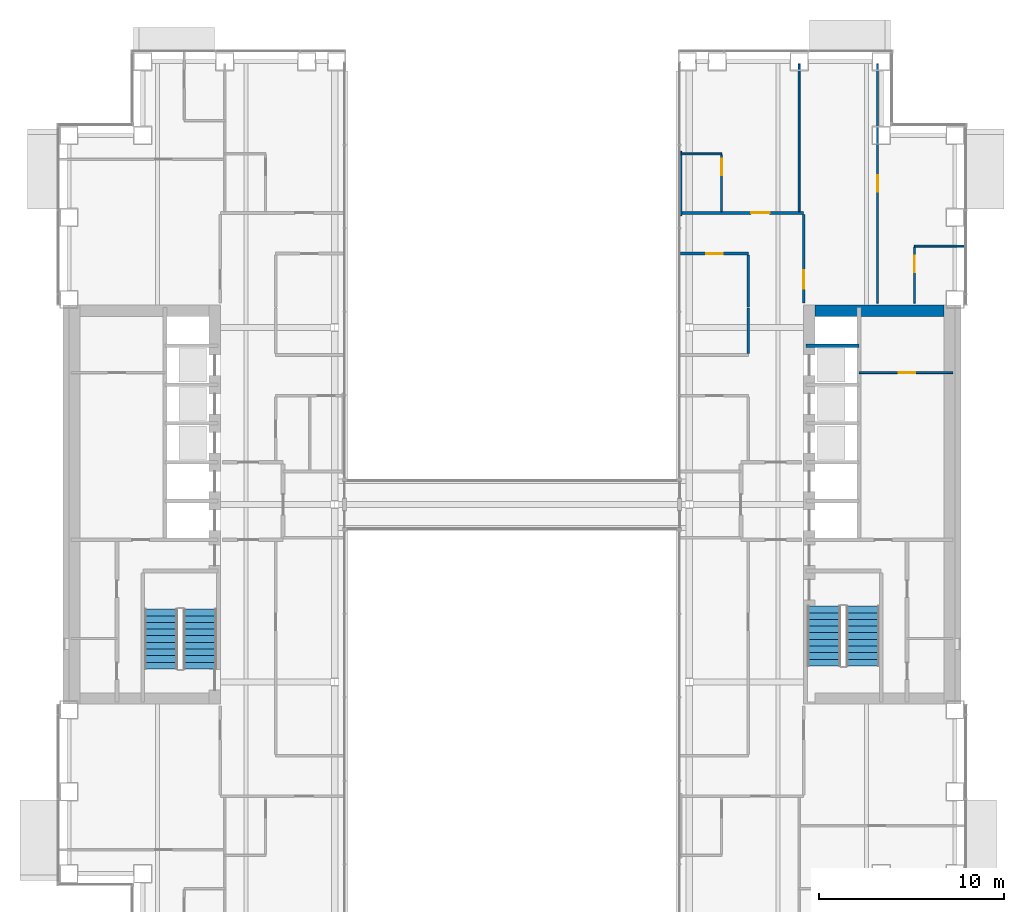
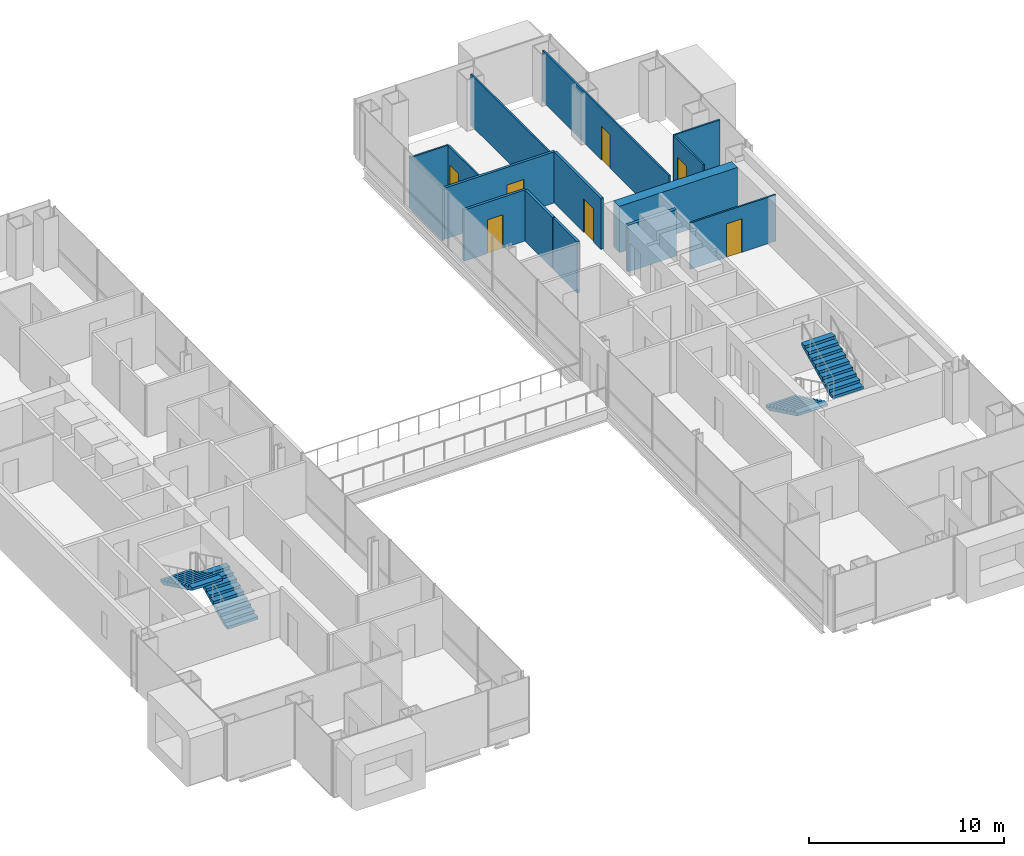
# One storey, part 17 of 21: 15 walls, 7 doors, 4 stair flights, 7 openings, 2 elements without a shape of their own.
"""IFC4 building model written with IfcOpenShell, lengths in metres."""

from ifc_helpers import new_model, si_unit, direction, frame, frame_2d, origin, place, context, subcontext, project, spatial, polyline, rectangle, outline, extrude, material, layer, layer_set, type_object, element, fill, aggregate, save


model = new_model("IFC4")

# Units and contexts
model_context = context("Model", 3, precision=1e-05, world=origin(), true_north=direction((0.0, 1.0)))
body_context = subcontext(model_context, "Body", "Model", "MODEL_VIEW")
ifc_project = project(units=[si_unit("LENGTHUNIT", "METRE"), si_unit("AREAUNIT", "SQUARE_METRE"), si_unit("VOLUMEUNIT", "CUBIC_METRE"), si_unit("PLANEANGLEUNIT", "RADIAN"), si_unit("MASSUNIT", "GRAM", prefix="KILO")], contexts=[model_context])

# Site, building, storey
site_placement = place(None, origin())
site = spatial("IfcSite", under=ifc_project, at=site_placement, CompositionType="ELEMENT")
building_placement = place(site_placement, origin())
building = spatial("IfcBuilding", under=site, at=building_placement, Name="Cobrizo Arcos Hotel Tower", CompositionType="ELEMENT")
storey_placement = place(building_placement, frame((0.0, 0.0, 81.0)))
storey = spatial("IfcBuildingStorey", under=building, at=storey_placement, Name="L19", CompositionType="ELEMENT", Elevation=81.0)

# Wall, opening, door
ifc_material_1 = material(Name="Gypsum board partition")
ifc_layer_1 = layer(ifc_material_1, 0.14990234375)
ifc_layer_set_1 = layer_set([ifc_layer_1], Name="Corridor wall EI 60 150")
wall_type_1 = type_object("IfcWallType", Name="Corridor wall EI 60 150", PredefinedType="PARTITIONING", material=ifc_layer_set_1)
wall_1_placement = place(storey_placement, frame((9.1201171875, 13.60009765625, 0.0), z_axis=(0.0, 0.0, 1.0), x_axis=(1.0, 0.0, 0.0)))
wall_1 = element("IfcWall", 1, at=wall_1_placement, inside=storey, type_object=wall_type_1, Name="Partition 042", PredefinedType="PARTITIONING", context=body_context, shape_type="SweptSolid", body=[
    extrude(rectangle(XDim=3.679931640625, YDim=0.14990234375, at=frame_2d((1.83984375, 0.0))), origin(), (0.0, 0.0, 1.0), 3.199951171875),
])
opening_1_placement = place(wall_1_placement, frame((1.405029296875, 0.0, 0.0)))
opening_1 = element("IfcOpeningElement", 2, at=opening_1_placement, cuts=wall_1, Name="Opening RD-14", PredefinedType="OPENING", context=body_context, shape_type="SweptSolid", body=[
    extrude(rectangle(XDim=0.89990234375, YDim=2.10009765625, at=frame_2d((0.449951171875, 1.050048828125))), frame((0.0, 0.0869140625, 0.0), z_axis=(0.0, -1.0, 0.0), x_axis=(1.0, 0.0, 0.0)), (0.0, 0.0, 1.0), 0.173828125),
])
ifc_material_2 = material(Name="Timber door leaf", Category="wood")
door_type_1 = type_object("IfcDoorType", Name="Room door FD30 900x2100", OperationType="SINGLE_SWING_LEFT", PredefinedType="DOOR", material=ifc_material_2)
door_1_placement = place(opening_1_placement, origin())
door_1 = element("IfcDoor", 3, at=door_1_placement, inside=storey, type_object=door_type_1, Name="Door RD-14", OperationType="SINGLE_SWING_LEFT", OverallHeight=2.10009765625, OverallWidth=0.89990234375, PredefinedType="DOOR", context=body_context, shape_type="SweptSolid", body=[
    extrude(rectangle(XDim=0.89990234375, YDim=2.10009765625, at=frame_2d((0.449951171875, 1.050048828125))), frame((0.0, 0.02490234375, 0.0), z_axis=(0.0, -1.0, 0.0), x_axis=(1.0, 0.0, 0.0)), (0.0, 0.0, 1.0), 0.050048828125),
])
fill(opening_1, door_1)

wall_2_placement = place(storey_placement, frame((9.14990234375, 15.800048828125, 0.0), z_axis=(0.0, 0.0, 1.0), x_axis=(1.0, 0.0, 0.0)))
wall_2 = element("IfcWall", 4, at=wall_2_placement, inside=storey, type_object=wall_type_1, Name="Partition 045", PredefinedType="PARTITIONING", context=body_context, shape_type="SweptSolid", body=[
    extrude(rectangle(XDim=6.650146484375, YDim=0.14990234375, at=frame_2d((3.3251953125, 0.0))), origin(), (0.0, 0.0, 1.0), 3.199951171875),
])
opening_2_placement = place(wall_2_placement, frame((3.802978515625, 0.0, 0.0)))
opening_2 = element("IfcOpeningElement", 5, at=opening_2_placement, cuts=wall_2, Name="Opening GD-01", PredefinedType="OPENING", context=body_context, shape_type="SweptSolid", body=[
    extrude(rectangle(XDim=1.0, YDim=2.10009765625, at=frame_2d((0.5, 1.050048828125))), frame((0.0, 0.0869140625, 0.0), z_axis=(0.0, -1.0, 0.0), x_axis=(1.0, 0.0, 0.0)), (0.0, 0.0, 1.0), 0.173828125),
])
door_type_2 = type_object("IfcDoorType", Name="Guest room door FD30S 1000x2100", OperationType="SINGLE_SWING_LEFT", PredefinedType="DOOR", material=ifc_material_2)
door_2_placement = place(opening_2_placement, origin())
door_2 = element("IfcDoor", 6, at=door_2_placement, inside=storey, type_object=door_type_2, Name="Door GD-01", OperationType="SINGLE_SWING_LEFT", OverallHeight=2.10009765625, OverallWidth=1.0, PredefinedType="DOOR", context=body_context, shape_type="SweptSolid", body=[
    extrude(rectangle(XDim=1.0, YDim=2.10009765625, at=frame_2d((0.5, 1.050048828125))), frame((0.0, 0.02490234375, 0.0), z_axis=(0.0, -1.0, 0.0), x_axis=(1.0, 0.0, 0.0)), (0.0, 0.0, 1.0), 0.050048828125),
])
fill(opening_2, door_2)

# Walls
wall_3_placement = place(storey_placement, frame((12.800048828125, 8.175048828125, 0.0), z_axis=(0.0, 0.0, 1.0), x_axis=(0.0, 1.0, 0.0)))
element("IfcWall", 7, at=wall_3_placement, inside=storey, type_object=wall_type_1, Name="Partition 075", PredefinedType="PARTITIONING", context=body_context, shape_type="SweptSolid", body=[
    extrude(rectangle(XDim=2.474853515625, YDim=0.14990234375, at=frame_2d((1.2373046875, 0.0))), origin(), (0.0, 0.0, 1.0), 3.199951171875),
])
wall_4_placement = place(storey_placement, frame((12.800048828125, 10.699951171875, 0.0), z_axis=(0.0, 0.0, 1.0), x_axis=(0.0, 1.0, 0.0)))
element("IfcWall", 8, at=wall_4_placement, inside=storey, type_object=wall_type_1, Name="Partition 076", PredefinedType="PARTITIONING", context=body_context, shape_type="SweptSolid", body=[
    extrude(rectangle(XDim=2.824951171875, YDim=0.14990234375, at=frame_2d((1.41259765625, 0.0))), origin(), (0.0, 0.0, 1.0), 3.199951171875),
])

# Wall, opening, door
wall_5_placement = place(storey_placement, frame((15.800048828125, 10.919921875, 0.0), z_axis=(0.0, 0.0, 1.0), x_axis=(0.0, 1.0, 0.0)))
wall_5 = element("IfcWall", 9, at=wall_5_placement, inside=storey, type_object=wall_type_1, Name="Partition 080", PredefinedType="PARTITIONING", context=body_context, shape_type="SweptSolid", body=[
    extrude(rectangle(XDim=4.80517578125, YDim=0.14990234375, at=frame_2d((2.402587890625, 0.0))), origin(), (0.0, 0.0, 1.0), 3.199951171875),
])
opening_3_placement = place(wall_5_placement, frame((0.780029296875, 0.0, 0.0)))
opening_3 = element("IfcOpeningElement", 10, at=opening_3_placement, cuts=wall_5, Name="Opening GD-08", PredefinedType="OPENING", context=body_context, shape_type="SweptSolid", body=[
    extrude(rectangle(XDim=1.0, YDim=2.10009765625, at=frame_2d((0.5, 1.050048828125))), frame((0.0, 0.0869140625, 0.0), z_axis=(0.0, -1.0, 0.0), x_axis=(1.0, 0.0, 0.0)), (0.0, 0.0, 1.0), 0.173828125),
])
door_3_placement = place(opening_3_placement, origin())
door_3 = element("IfcDoor", 11, at=door_3_placement, inside=storey, type_object=door_type_2, Name="Door GD-08", OperationType="SINGLE_SWING_RIGHT", OverallHeight=2.10009765625, OverallWidth=1.0, PredefinedType="DOOR", context=body_context, shape_type="SweptSolid", body=[
    extrude(rectangle(XDim=1.0, YDim=2.10009765625, at=frame_2d((0.5, 1.050048828125))), frame((0.0, 0.02490234375, 0.0), z_axis=(0.0, -1.0, 0.0), x_axis=(1.0, 0.0, 0.0)), (0.0, 0.0, 1.0), 0.050048828125),
])
fill(opening_3, door_3)

ifc_layer_2 = layer(ifc_material_1, 0.10009765625)
ifc_layer_set_2 = layer_set([ifc_layer_2], Name="Partition EI 30 100")
wall_type_2 = type_object("IfcWallType", Name="Partition EI 30 100", PredefinedType="PARTITIONING", material=ifc_layer_set_2)
wall_6_placement = place(storey_placement, frame((18.800048828125, 7.14990234375, 0.0), z_axis=(0.0, 0.0, 1.0), x_axis=(1.0, 0.0, 0.0)))
wall_6 = element("IfcWall", 12, at=wall_6_placement, inside=storey, type_object=wall_type_2, Name="Partition 036", PredefinedType="PARTITIONING", context=body_context, shape_type="SweptSolid", body=[
    extrude(rectangle(XDim=5.079833984375, YDim=0.10009765625, at=frame_2d((2.5400390625, 0.0))), origin(), (0.0, 0.0, 1.0), 2.89990234375),
])
opening_4_placement = place(wall_6_placement, frame((2.14990234375, 0.0, 0.0)))
opening_4 = element("IfcOpeningElement", 13, at=opening_4_placement, cuts=wall_6, Name="Opening RD-08", PredefinedType="OPENING", context=body_context, shape_type="SweptSolid", body=[
    extrude(rectangle(XDim=0.89990234375, YDim=2.10009765625, at=frame_2d((0.449951171875, 1.050048828125))), frame((0.0, 0.06201171875, 0.0), z_axis=(0.0, -1.0, 0.0), x_axis=(1.0, 0.0, 0.0)), (0.0, 0.0, 1.0), 0.1240234375),
])
door_4_placement = place(opening_4_placement, origin())
door_4 = element("IfcDoor", 14, at=door_4_placement, inside=storey, type_object=door_type_1, Name="Door RD-08", OperationType="SINGLE_SWING_LEFT", OverallHeight=2.10009765625, OverallWidth=0.89990234375, PredefinedType="DOOR", context=body_context, shape_type="SweptSolid", body=[
    extrude(rectangle(XDim=0.89990234375, YDim=2.10009765625, at=frame_2d((0.449951171875, 1.050048828125))), frame((0.0, 0.02490234375, 0.0), z_axis=(0.0, -1.0, 0.0), x_axis=(1.0, 0.0, 0.0)), (0.0, 0.0, 1.0), 0.050048828125),
])
fill(opening_4, door_4)

# Walls
wall_7_placement = place(storey_placement, frame((21.800048828125, 14.0, 0.0), z_axis=(0.0, 0.0, 1.0), x_axis=(1.0, 0.0, 0.0)))
element("IfcWall", 15, at=wall_7_placement, inside=storey, type_object=wall_type_2, Name="Partition 043", PredefinedType="PARTITIONING", context=body_context, shape_type="SweptSolid", body=[
    extrude(rectangle(XDim=2.72998046875, YDim=0.10009765625, at=frame_2d((1.364990234375, 0.0))), origin(), (0.0, 0.0, 1.0), 3.199951171875),
])
wall_8_placement = place(storey_placement, frame((9.14990234375, 19.0, 0.0), z_axis=(0.0, 0.0, 1.0), x_axis=(1.0, 0.0, 0.0)))
element("IfcWall", 16, at=wall_8_placement, inside=storey, type_object=wall_type_2, Name="Partition 048", PredefinedType="PARTITIONING", context=body_context, shape_type="SweptSolid", body=[
    extrude(rectangle(XDim=2.2001953125, YDim=0.10009765625, at=frame_2d((1.10009765625, 0.0))), origin(), (0.0, 0.0, 1.0), 3.199951171875),
])
wall_9_placement = place(storey_placement, frame((9.14990234375, 15.659912109375, 0.0), z_axis=(0.0, 0.0, 1.0), x_axis=(0.0, 1.0, 0.0)))
element("IfcWall", 17, at=wall_9_placement, inside=storey, type_object=wall_type_2, Name="Partition 069", PredefinedType="PARTITIONING", context=body_context, shape_type="SweptSolid", body=[
    extrude(rectangle(XDim=3.47998046875, YDim=0.10009765625, at=frame_2d((1.739990234375, 0.0))), origin(), (0.0, 0.0, 1.0), 3.199951171875),
])

# Wall, opening, door
wall_10_placement = place(storey_placement, frame((11.35009765625, 15.875, 0.0), z_axis=(0.0, 0.0, 1.0), x_axis=(0.0, 1.0, 0.0)))
wall_10 = element("IfcWall", 18, at=wall_10_placement, inside=storey, type_object=wall_type_2, Name="Partition 071", PredefinedType="PARTITIONING", context=body_context, shape_type="SweptSolid", body=[
    extrude(rectangle(XDim=3.074951171875, YDim=0.10009765625, at=frame_2d((1.53759765625, 0.0))), origin(), (0.0, 0.0, 1.0), 3.199951171875),
])
opening_5_placement = place(wall_10_placement, frame((1.970947265625, 0.0, 0.0)))
opening_5 = element("IfcOpeningElement", 19, at=opening_5_placement, cuts=wall_10, Name="Opening ED-01", PredefinedType="OPENING", context=body_context, shape_type="SweptSolid", body=[
    extrude(rectangle(XDim=0.89990234375, YDim=2.10009765625, at=frame_2d((0.449951171875, 1.050048828125))), frame((0.0, 0.06201171875, 0.0), z_axis=(0.0, -1.0, 0.0), x_axis=(1.0, 0.0, 0.0)), (0.0, 0.0, 1.0), 0.1240234375),
])
door_type_3 = type_object("IfcDoorType", Name="En-suite door 900x2100", OperationType="SINGLE_SWING_LEFT", PredefinedType="DOOR", material=ifc_material_2)
door_5_placement = place(opening_5_placement, origin())
door_5 = element("IfcDoor", 20, at=door_5_placement, inside=storey, type_object=door_type_3, Name="Door ED-01", OperationType="SINGLE_SWING_RIGHT", OverallHeight=2.10009765625, OverallWidth=0.89990234375, PredefinedType="DOOR", context=body_context, shape_type="SweptSolid", body=[
    extrude(rectangle(XDim=0.89990234375, YDim=2.10009765625, at=frame_2d((0.449951171875, 1.050048828125))), frame((0.0, 0.02490234375, 0.0), z_axis=(0.0, -1.0, 0.0), x_axis=(1.0, 0.0, 0.0)), (0.0, 0.0, 1.0), 0.050048828125),
])
fill(opening_5, door_5)

# Wall
wall_11_placement = place(storey_placement, frame((15.550048828125, 15.875, 0.0), z_axis=(0.0, 0.0, 1.0), x_axis=(0.0, 1.0, 0.0)))
element("IfcWall", 21, at=wall_11_placement, inside=storey, type_object=wall_type_2, Name="Partition 078", PredefinedType="PARTITIONING", context=body_context, shape_type="SweptSolid", body=[
    extrude(rectangle(XDim=8.0048828125, YDim=0.10009765625, at=frame_2d((4.00244140625, 0.0))), origin(), (0.0, 0.0, 1.0), 3.199951171875),
])

# Wall, opening, door
wall_12_placement = place(storey_placement, frame((19.800048828125, 10.919921875, 0.0), z_axis=(0.0, 0.0, 1.0), x_axis=(0.0, 1.0, 0.0)))
wall_12 = element("IfcWall", 22, at=wall_12_placement, inside=storey, type_object=wall_type_2, Name="Partition 083", PredefinedType="PARTITIONING", context=body_context, shape_type="SweptSolid", body=[
    extrude(rectangle(XDim=12.9599609375, YDim=0.10009765625, at=frame_2d((6.47998046875, 0.0))), origin(), (0.0, 0.0, 1.0), 3.199951171875),
])
opening_6_placement = place(wall_12_placement, frame((6.030029296875, 0.0, 0.0)))
opening_6 = element("IfcOpeningElement", 23, at=opening_6_placement, cuts=wall_12, Name="Opening RD-12", PredefinedType="OPENING", context=body_context, shape_type="SweptSolid", body=[
    extrude(rectangle(XDim=0.89990234375, YDim=2.10009765625, at=frame_2d((0.449951171875, 1.050048828125))), frame((0.0, 0.06201171875, 0.0), z_axis=(0.0, -1.0, 0.0), x_axis=(1.0, 0.0, 0.0)), (0.0, 0.0, 1.0), 0.1240234375),
])
door_6_placement = place(opening_6_placement, origin())
door_6 = element("IfcDoor", 24, at=door_6_placement, inside=storey, type_object=door_type_1, Name="Door RD-12", OperationType="SINGLE_SWING_RIGHT", OverallHeight=2.10009765625, OverallWidth=0.89990234375, PredefinedType="DOOR", context=body_context, shape_type="SweptSolid", body=[
    extrude(rectangle(XDim=0.89990234375, YDim=2.10009765625, at=frame_2d((0.449951171875, 1.050048828125))), frame((0.0, 0.02490234375, 0.0), z_axis=(0.0, -1.0, 0.0), x_axis=(1.0, 0.0, 0.0)), (0.0, 0.0, 1.0), 0.050048828125),
])
fill(opening_6, door_6)

wall_13_placement = place(storey_placement, frame((21.800048828125, 10.919921875, 0.0), z_axis=(0.0, 0.0, 1.0), x_axis=(0.0, 1.0, 0.0)))
wall_13 = element("IfcWall", 25, at=wall_13_placement, inside=storey, type_object=wall_type_2, Name="Partition 086", PredefinedType="PARTITIONING", context=body_context, shape_type="SweptSolid", body=[
    extrude(rectangle(XDim=3.030029296875, YDim=0.10009765625, at=frame_2d((1.51513671875, 0.0))), origin(), (0.0, 0.0, 1.0), 3.199951171875),
])
opening_7_placement = place(wall_13_placement, frame((1.669921875, 0.0, 0.0)))
opening_7 = element("IfcOpeningElement", 26, at=opening_7_placement, cuts=wall_13, Name="Opening ED-08", PredefinedType="OPENING", context=body_context, shape_type="SweptSolid", body=[
    extrude(rectangle(XDim=0.89990234375, YDim=2.10009765625, at=frame_2d((0.449951171875, 1.050048828125))), frame((0.0, 0.06201171875, 0.0), z_axis=(0.0, -1.0, 0.0), x_axis=(1.0, 0.0, 0.0)), (0.0, 0.0, 1.0), 0.1240234375),
])
door_7_placement = place(opening_7_placement, origin())
door_7 = element("IfcDoor", 27, at=door_7_placement, inside=storey, type_object=door_type_3, Name="Door ED-08", OperationType="SINGLE_SWING_LEFT", OverallHeight=2.10009765625, OverallWidth=0.89990234375, PredefinedType="DOOR", context=body_context, shape_type="SweptSolid", body=[
    extrude(rectangle(XDim=0.89990234375, YDim=2.10009765625, at=frame_2d((0.449951171875, 1.050048828125))), frame((0.0, 0.02490234375, 0.0), z_axis=(0.0, -1.0, 0.0), x_axis=(1.0, 0.0, 0.0)), (0.0, 0.0, 1.0), 0.050048828125),
])
fill(opening_7, door_7)

# Walls
ifc_material_3 = material(Name="Concrete f'c 60 MPa", Category="concrete")
ifc_layer_3 = layer(ifc_material_3, 0.60009765625)
ifc_layer_set_3 = layer_set([ifc_layer_3], Name="RC core wall 600 f'c 60")
wall_type_3 = type_object("IfcWallType", Name="RC core wall 600 f'c 60", PredefinedType="SHEAR", material=ifc_layer_set_3)
wall_14_placement = place(storey_placement, frame((16.39990234375, 10.5, 0.0), z_axis=(0.0, 0.0, 1.0), x_axis=(1.0, 0.0, 0.0)))
element("IfcWall", 28, at=wall_14_placement, inside=storey, type_object=wall_type_3, Name="Core wall CW1, east core, north end, L19", PredefinedType="SHEAR", context=body_context, shape_type="SweptSolid", body=[
    extrude(rectangle(XDim=7.0, YDim=0.60009765625, at=frame_2d((3.5, 0.0))), origin(), (0.0, 0.0, 1.0), 2.89990234375),
])
ifc_layer_4 = layer(ifc_material_1, 0.199951171875)
ifc_layer_set_4 = layer_set([ifc_layer_4], Name="Shaft wall EI 120 200")
wall_type_4 = type_object("IfcWallType", Name="Shaft wall EI 120 200", PredefinedType="PARTITIONING", material=ifc_layer_set_4)
wall_15_placement = place(storey_placement, frame((15.919921875, 8.60009765625, 0.0), z_axis=(0.0, 0.0, 1.0), x_axis=(1.0, 0.0, 0.0)))
element("IfcWall", 29, at=wall_15_placement, inside=storey, type_object=wall_type_4, Name="Partition 040", PredefinedType="PARTITIONING", context=body_context, shape_type="SweptSolid", body=[
    extrude(rectangle(XDim=2.880126953125, YDim=0.199951171875, at=frame_2d((1.43994140625, 0.0))), origin(), (0.0, 0.0, 1.0), 2.89990234375),
])

# Stair, stair flights
ifc_material_4 = material(Name="Concrete f'c 40 MPa", Category="concrete")
stair_type = type_object("IfcStairType", Name="Exit stair", PredefinedType="HALF_TURN_STAIR", material=ifc_material_4)
stair_1_placement = place(storey_placement, origin())
stair_1 = element("IfcStair", 30, at=stair_1_placement, inside=storey, type_object=stair_type, Name="L19 Exit stair ST-W", PredefinedType="HALF_TURN_STAIR")
stair_flight_type = type_object("IfcStairFlightType", Name="Exit stair flight", PredefinedType="STRAIGHT", material=ifc_material_4)
stair_flight_1_placement = place(storey_placement, frame((-16.89990234375, -8.89990234375, 0.0), z_axis=(0.0, 0.0, 1.0), x_axis=(0.0, 1.0, 0.0)))
stair_flight_1 = element("IfcStairFlight", 31, at=stair_flight_1_placement, type_object=stair_flight_type, Name="ST-W flight 1", NumberOfRisers=10, NumberOfTreads=9, PredefinedType="STRAIGHT", RiserHeight=0.175, TreadLength=0.36, context=body_context, shape_type="SweptSolid", body=[
    extrude(outline(polyline([(0.0, 0.0), (0.0, 0.175048828125), (0.360107421875, 0.175048828125), (0.360107421875, 0.35009765625), (0.719970703125, 0.35009765625), (0.719970703125, 0.52490234375), (1.080078125, 0.52490234375), (1.080078125, 0.699951171875), (1.43994140625, 0.699951171875), (1.43994140625, 0.875), (1.800048828125, 0.875), (1.800048828125, 1.050048828125), (2.159912109375, 1.050048828125), (2.159912109375, 1.22509765625), (2.52001953125, 1.22509765625), (2.52001953125, 1.39990234375), (2.8798828125, 1.39990234375), (2.8798828125, 1.574951171875), (3.239990234375, 1.574951171875), (3.239990234375, 1.75), (3.239990234375, 1.408203125), (0.3427734375, 0.0), (0.0, 0.0)])), frame((0.0, 0.89990234375, 0.0), z_axis=(0.0, -1.0, 0.0), x_axis=(1.0, 0.0, 0.0)), (0.0, 0.0, 1.0), 1.800048828125),
])
stair_flight_2_placement = place(storey_placement, frame((-19.0, -5.659912109375, 1.75), z_axis=(0.0, 0.0, 1.0), x_axis=(0.0, -1.0, 0.0)))
stair_flight_2 = element("IfcStairFlight", 32, at=stair_flight_2_placement, type_object=stair_flight_type, Name="ST-W flight 2", NumberOfRisers=10, NumberOfTreads=9, PredefinedType="STRAIGHT", RiserHeight=0.175, TreadLength=0.36, context=body_context, shape_type="SweptSolid", body=[
    extrude(outline(polyline([(0.0, 0.0), (0.0, 0.175048828125), (0.360107421875, 0.175048828125), (0.360107421875, 0.35009765625), (0.719970703125, 0.35009765625), (0.719970703125, 0.52490234375), (1.080078125, 0.52490234375), (1.080078125, 0.699951171875), (1.43994140625, 0.699951171875), (1.43994140625, 0.875), (1.800048828125, 0.875), (1.800048828125, 1.050048828125), (2.159912109375, 1.050048828125), (2.159912109375, 1.22509765625), (2.52001953125, 1.22509765625), (2.52001953125, 1.39990234375), (2.8798828125, 1.39990234375), (2.8798828125, 1.574951171875), (3.239990234375, 1.574951171875), (3.239990234375, 1.75), (3.239990234375, 1.408203125), (0.3427734375, 0.0), (0.0, 0.0)])), frame((0.0, 0.89990234375, 0.0), z_axis=(0.0, -1.0, 0.0), x_axis=(1.0, 0.0, 0.0)), (0.0, 0.0, 1.0), 1.800048828125),
])
aggregate(stair_1, [stair_flight_1, stair_flight_2])

stair_2_placement = place(storey_placement, origin())
stair_2 = element("IfcStair", 33, at=stair_2_placement, inside=storey, type_object=stair_type, Name="L19 Exit stair ST-E", PredefinedType="HALF_TURN_STAIR")
stair_flight_3_placement = place(storey_placement, frame((16.89990234375, -5.5, 0.0), z_axis=(0.0, 0.0, 1.0), x_axis=(0.0, -1.0, 0.0)))
stair_flight_3 = element("IfcStairFlight", 34, at=stair_flight_3_placement, type_object=stair_flight_type, Name="ST-E flight 1", NumberOfRisers=10, NumberOfTreads=9, PredefinedType="STRAIGHT", RiserHeight=0.175, TreadLength=0.36, context=body_context, shape_type="SweptSolid", body=[
    extrude(outline(polyline([(0.0, 0.0), (0.0, 0.175048828125), (0.360107421875, 0.175048828125), (0.360107421875, 0.35009765625), (0.719970703125, 0.35009765625), (0.719970703125, 0.52490234375), (1.080078125, 0.52490234375), (1.080078125, 0.699951171875), (1.43994140625, 0.699951171875), (1.43994140625, 0.875), (1.800048828125, 0.875), (1.800048828125, 1.050048828125), (2.159912109375, 1.050048828125), (2.159912109375, 1.22509765625), (2.52001953125, 1.22509765625), (2.52001953125, 1.39990234375), (2.8798828125, 1.39990234375), (2.8798828125, 1.574951171875), (3.239990234375, 1.574951171875), (3.239990234375, 1.75), (3.239990234375, 1.408203125), (0.3427734375, 0.0), (0.0, 0.0)])), frame((0.0, 0.89990234375, 0.0), z_axis=(0.0, -1.0, 0.0), x_axis=(1.0, 0.0, 0.0)), (0.0, 0.0, 1.0), 1.800048828125),
])
stair_flight_4_placement = place(storey_placement, frame((19.0, -8.739990234375, 1.75), z_axis=(0.0, 0.0, 1.0), x_axis=(0.0, 1.0, 0.0)))
stair_flight_4 = element("IfcStairFlight", 35, at=stair_flight_4_placement, type_object=stair_flight_type, Name="ST-E flight 2", NumberOfRisers=10, NumberOfTreads=9, PredefinedType="STRAIGHT", RiserHeight=0.175, TreadLength=0.36, context=body_context, shape_type="SweptSolid", body=[
    extrude(outline(polyline([(0.0, 0.0), (0.0, 0.175048828125), (0.360107421875, 0.175048828125), (0.360107421875, 0.35009765625), (0.719970703125, 0.35009765625), (0.719970703125, 0.52490234375), (1.080078125, 0.52490234375), (1.080078125, 0.699951171875), (1.43994140625, 0.699951171875), (1.43994140625, 0.875), (1.800048828125, 0.875), (1.800048828125, 1.050048828125), (2.159912109375, 1.050048828125), (2.159912109375, 1.22509765625), (2.52001953125, 1.22509765625), (2.52001953125, 1.39990234375), (2.8798828125, 1.39990234375), (2.8798828125, 1.574951171875), (3.239990234375, 1.574951171875), (3.239990234375, 1.75), (3.239990234375, 1.408203125), (0.3427734375, 0.0), (0.0, 0.0)])), frame((0.0, 0.89990234375, 0.0), z_axis=(0.0, -1.0, 0.0), x_axis=(1.0, 0.0, 0.0)), (0.0, 0.0, 1.0), 1.800048828125),
])
aggregate(stair_2, [stair_flight_3, stair_flight_4])

save(model, "model.ifc")
